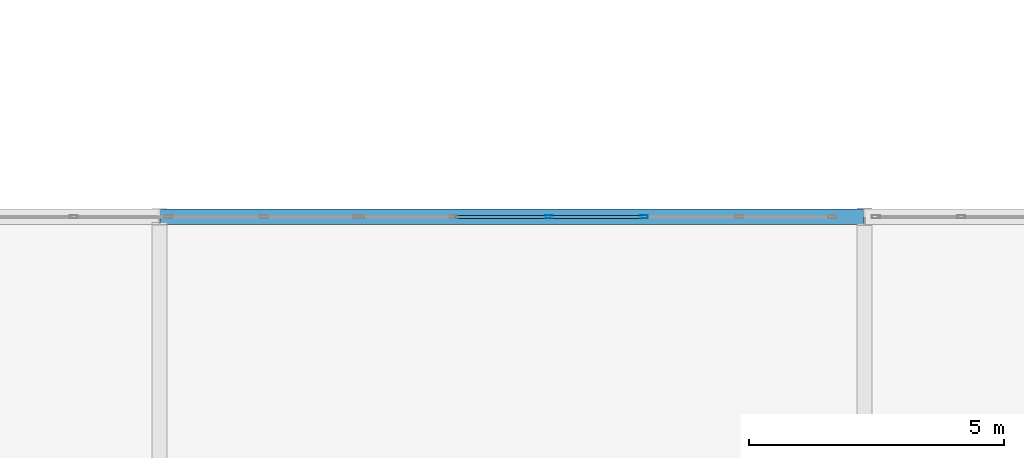
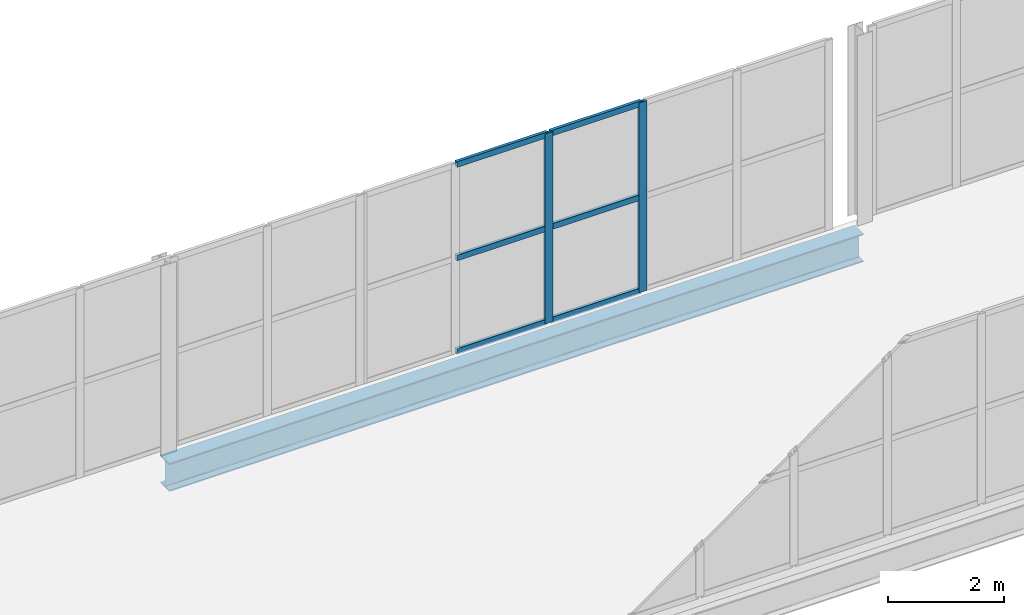
# One storey, part 61 of 138: 8 members, 1 beam, 1 element without a shape of its own.
"""IFC4 building model written with IfcOpenShell, lengths in metres."""

from ifc_helpers import new_model, si_unit, direction, frame, origin, origin_2d, place, context, subcontext, project, spatial, hollow_rectangle, i_section, extrude, material, layer, layer_set, material_profile, profile_set, type_object, element, aggregate, save


model = new_model("IFC4")

# Units and contexts
model_context = context("Model", 3, precision=1e-05, world=origin(), true_north=direction((0.0, 1.0)))
body_context = subcontext(model_context, "Body", "Model", "MODEL_VIEW")
ifc_project = project(units=[si_unit("LENGTHUNIT", "METRE"), si_unit("AREAUNIT", "SQUARE_METRE"), si_unit("VOLUMEUNIT", "CUBIC_METRE"), si_unit("PLANEANGLEUNIT", "RADIAN"), si_unit("MASSUNIT", "GRAM", prefix="KILO")], contexts=[model_context])

# Site, building, storey
site_placement = place(None, origin())
site = spatial("IfcSite", under=ifc_project, at=site_placement, CompositionType="ELEMENT")
building_placement = place(site_placement, origin())
building = spatial("IfcBuilding", under=site, at=building_placement, Name="Vinh Khe Railworks Police Headquarters", CompositionType="ELEMENT")
storey_placement = place(building_placement, frame((0.0, 0.0, 9.0)))
storey = spatial("IfcBuildingStorey", under=building, at=storey_placement, Name="L02", CompositionType="ELEMENT", Elevation=9.0)

# Curtain wall, members
ifc_material_1 = material(Name="Anodised aluminium and solar-control glass", Category="aluminium")
ifc_layer = layer(ifc_material_1, 0.159912109375)
ifc_layer_set = layer_set([ifc_layer], Name="Anodised aluminium and solar-control glass")
curtain_wall_type = type_object("IfcCurtainWallType", Name="CW-SHOPFRONT", PredefinedType="USERDEFINED", material=ifc_layer_set)
curtain_wall_placement = place(storey_placement, origin())
curtain_wall = element("IfcCurtainWall", 1, at=curtain_wall_placement, inside=storey, type_object=curtain_wall_type, Name="Link Bridge North Glazing L02 Bay 4", ObjectType="UNITISED GLAZING", PredefinedType="USERDEFINED")
ifc_material_2 = material(Name="Anodised aluminium 6063-T6", Category="aluminium")
ifc_material_profile_1 = material_profile(ifc_material_2, hollow_rectangle(XDim=0.06005859375, YDim=0.159912109375, WallThickness=0.00390625, at=origin_2d()), Name="CW-M 60x160x4")
ifc_profile_set_1 = profile_set([ifc_material_profile_1], Name="Anodised aluminium 6063-T6")
member_type_1 = type_object("IfcMemberType", Name="MULL-CWM-01", PredefinedType="MULLION", material=ifc_profile_set_1)
member_1_placement = place(storey_placement, frame((53.820068359375, 104.39990234375, 0.0), z_axis=(0.0, 0.0, 1.0), x_axis=(0.0, 1.0, 0.0)))
member_1 = element("IfcMember", 2, at=member_1_placement, type_object=member_type_1, Name="CW-03 mullion 3", PredefinedType="MULLION", context=body_context, shape_type="SweptSolid", body=[
    extrude(hollow_rectangle(XDim=0.06005859375, YDim=0.159912109375, WallThickness=0.00390625, at=origin_2d()), origin(), (0.0, 0.0, 1.0), 3.97998046875),
])
member_2_placement = place(storey_placement, frame((55.679931640625, 104.39990234375, 0.0), z_axis=(0.0, 0.0, 1.0), x_axis=(0.0, 1.0, 0.0)))
member_2 = element("IfcMember", 3, at=member_2_placement, type_object=member_type_1, Name="CW-03 mullion 4", PredefinedType="MULLION", context=body_context, shape_type="SweptSolid", body=[
    extrude(hollow_rectangle(XDim=0.06005859375, YDim=0.159912109375, WallThickness=0.00390625, at=origin_2d()), origin(), (0.0, 0.0, 1.0), 3.97998046875),
])

# Beam
ifc_material_3 = material(Name="Steel S355JR", Category="steel")
ifc_material_profile_2 = material_profile(ifc_material_3, i_section(OverallWidth=0.300048828125, OverallDepth=0.590087890625, WebThickness=0.012939453125, FlangeThickness=0.02490234375, FilletRadius=0.027099609375, at=origin_2d()), Name="HEA 600")
ifc_profile_set_2 = profile_set([ifc_material_profile_2], Name="Steel S355JR")
beam_type = type_object("IfcBeamType", Name="Steel Girder HEA 600", PredefinedType="BEAM", material=ifc_profile_set_2)
beam_placement = place(storey_placement, frame((46.219970703125, 104.39990234375, -0.514892578125), z_axis=(1.0, 0.0, 0.0), x_axis=(0.0, 1.0, 0.0)))
element("IfcBeam", 4, at=beam_placement, inside=storey, type_object=beam_type, Name="Girder BM-L02-EW-SB-10-0822", PredefinedType="BEAM", context=body_context, shape_type="SweptSolid", body=[
    extrude(i_section(OverallWidth=0.300048828125, OverallDepth=0.590087890625, WebThickness=0.012939453125, FlangeThickness=0.02490234375, FilletRadius=0.027099609375, at=origin_2d()), origin(), (0.0, 0.0, 1.0), 13.760009765625),
])

# Member
ifc_material_profile_3 = material_profile(ifc_material_2, hollow_rectangle(XDim=0.06005859375, YDim=0.1201171875, WallThickness=0.00390625, at=origin_2d()), Name="CW-T 60x120x4")
ifc_profile_set_3 = profile_set([ifc_material_profile_3], Name="Anodised aluminium 6063-T6")
member_type_2 = type_object("IfcMemberType", Name="TRAN-CWT-01", PredefinedType="USERDEFINED", material=ifc_profile_set_3)
member_3_placement = place(storey_placement, frame((51.989990234375, 104.39990234375, 0.030029296875), z_axis=(1.0, 0.0, 0.0), x_axis=(0.0, 1.0, 0.0)))
member_3 = element("IfcMember", 5, at=member_3_placement, type_object=member_type_2, Name="CW-03 transom 2.1", ObjectType="TRANSOM", PredefinedType="USERDEFINED", context=body_context, shape_type="SweptSolid", body=[
    extrude(hollow_rectangle(XDim=0.06005859375, YDim=0.1201171875, WallThickness=0.00390625, at=origin_2d()), origin(), (0.0, 0.0, 1.0), 1.800048828125),
])

member_4_placement = place(storey_placement, frame((51.989990234375, 104.39990234375, 1.989990234375), z_axis=(1.0, 0.0, 0.0), x_axis=(0.0, 1.0, 0.0)))
member_4 = element("IfcMember", 6, at=member_4_placement, type_object=member_type_2, Name="CW-03 transom 2.2", ObjectType="TRANSOM", PredefinedType="USERDEFINED", context=body_context, shape_type="SweptSolid", body=[
    extrude(hollow_rectangle(XDim=0.06005859375, YDim=0.1201171875, WallThickness=0.00390625, at=origin_2d()), origin(), (0.0, 0.0, 1.0), 1.800048828125),
])

member_5_placement = place(storey_placement, frame((51.989990234375, 104.39990234375, 3.949951171875), z_axis=(1.0, 0.0, 0.0), x_axis=(0.0, 1.0, 0.0)))
member_5 = element("IfcMember", 7, at=member_5_placement, type_object=member_type_2, Name="CW-03 transom 2.3", ObjectType="TRANSOM", PredefinedType="USERDEFINED", context=body_context, shape_type="SweptSolid", body=[
    extrude(hollow_rectangle(XDim=0.06005859375, YDim=0.1201171875, WallThickness=0.00390625, at=origin_2d()), origin(), (0.0, 0.0, 1.0), 1.800048828125),
])

member_6_placement = place(storey_placement, frame((53.85009765625, 104.39990234375, 0.030029296875), z_axis=(1.0, 0.0, 0.0), x_axis=(0.0, 1.0, 0.0)))
member_6 = element("IfcMember", 8, at=member_6_placement, type_object=member_type_2, Name="CW-03 transom 3.1", ObjectType="TRANSOM", PredefinedType="USERDEFINED", context=body_context, shape_type="SweptSolid", body=[
    extrude(hollow_rectangle(XDim=0.06005859375, YDim=0.1201171875, WallThickness=0.00390625, at=origin_2d()), origin(), (0.0, 0.0, 1.0), 1.7998046875),
])

member_7_placement = place(storey_placement, frame((53.85009765625, 104.39990234375, 1.989990234375), z_axis=(1.0, 0.0, 0.0), x_axis=(0.0, 1.0, 0.0)))
member_7 = element("IfcMember", 9, at=member_7_placement, type_object=member_type_2, Name="CW-03 transom 3.2", ObjectType="TRANSOM", PredefinedType="USERDEFINED", context=body_context, shape_type="SweptSolid", body=[
    extrude(hollow_rectangle(XDim=0.06005859375, YDim=0.1201171875, WallThickness=0.00390625, at=origin_2d()), origin(), (0.0, 0.0, 1.0), 1.7998046875),
])

member_8_placement = place(storey_placement, frame((53.85009765625, 104.39990234375, 3.949951171875), z_axis=(1.0, 0.0, 0.0), x_axis=(0.0, 1.0, 0.0)))
member_8 = element("IfcMember", 10, at=member_8_placement, type_object=member_type_2, Name="CW-03 transom 3.3", ObjectType="TRANSOM", PredefinedType="USERDEFINED", context=body_context, shape_type="SweptSolid", body=[
    extrude(hollow_rectangle(XDim=0.06005859375, YDim=0.1201171875, WallThickness=0.00390625, at=origin_2d()), origin(), (0.0, 0.0, 1.0), 1.7998046875),
])

aggregate(curtain_wall, [member_1, member_2, member_3, member_4, member_5, member_6, member_7, member_8])

save(model, "model.ifc")
